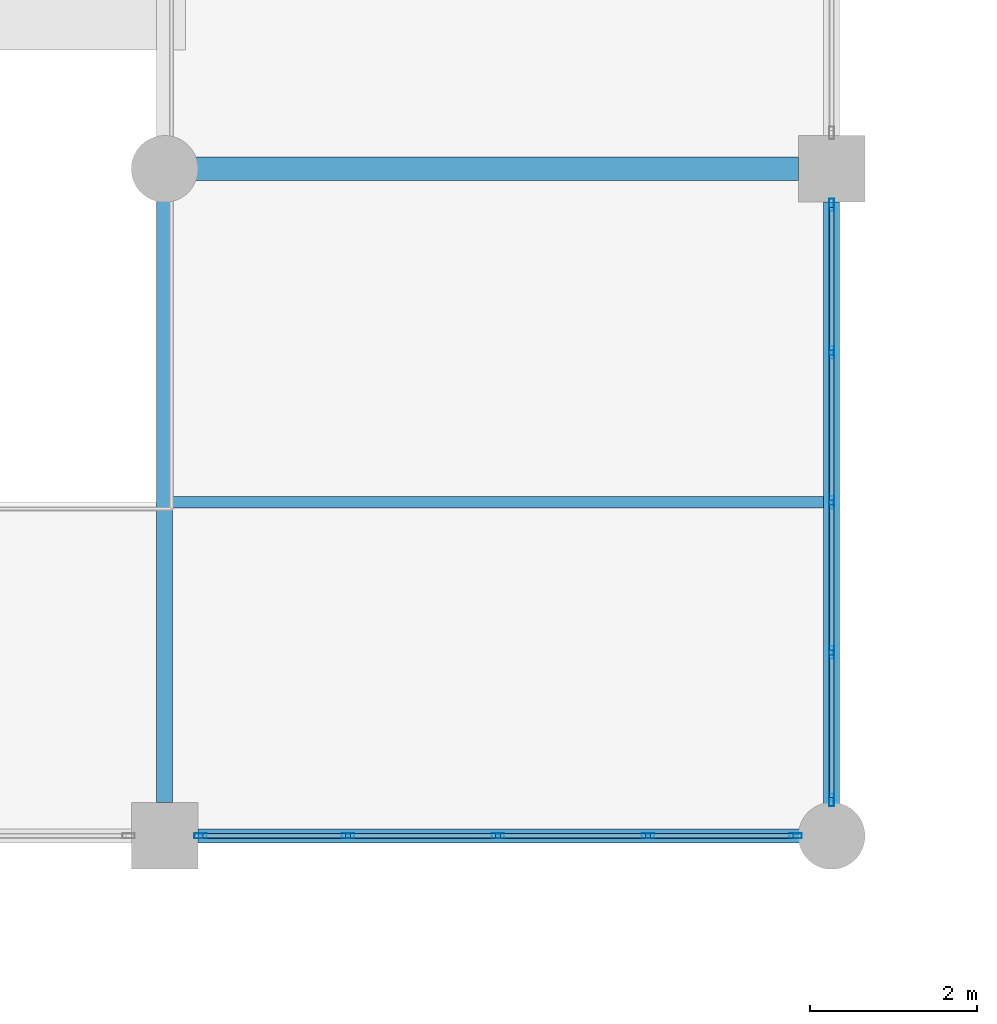
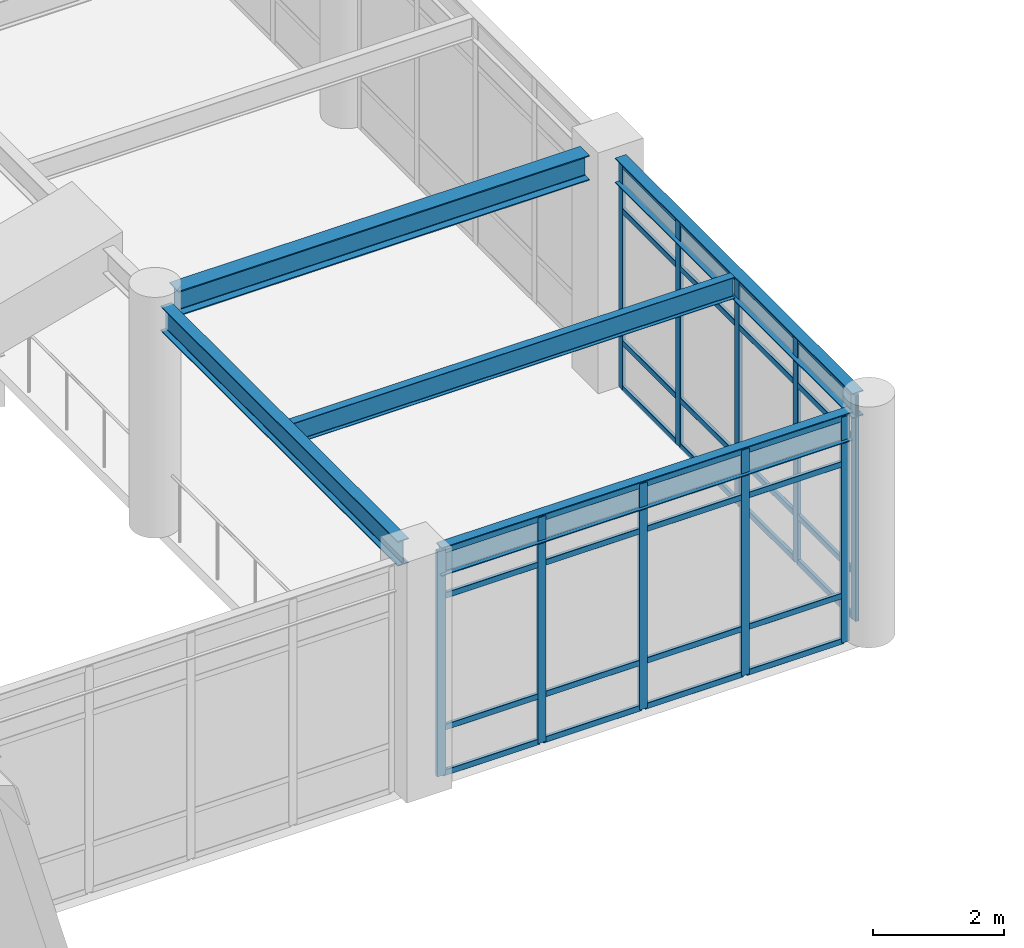
# One storey, part 30 of 75: 42 members, 5 beams, 2 elements without a shape of their own.
"""IFC4 building model written with IfcOpenShell, lengths in metres."""

from ifc_helpers import new_model, si_unit, direction, frame, origin, origin_2d, place, context, subcontext, project, spatial, hollow_rectangle, i_section, extrude, material, material_profile, profile_set, type_object, element, aggregate, save


model = new_model("IFC4")

# Units and contexts
model_context = context("Model", 3, precision=1e-05, world=origin(), true_north=direction((0.0, 1.0)))
body_context = subcontext(model_context, "Body", "Model", "MODEL_VIEW")
ifc_project = project(units=[si_unit("LENGTHUNIT", "METRE"), si_unit("AREAUNIT", "SQUARE_METRE"), si_unit("VOLUMEUNIT", "CUBIC_METRE"), si_unit("PLANEANGLEUNIT", "RADIAN"), si_unit("MASSUNIT", "GRAM", prefix="KILO")], contexts=[model_context])

# Site, building, storey
site_placement = place(None, origin())
site = spatial("IfcSite", under=ifc_project, at=site_placement, CompositionType="ELEMENT")
building_placement = place(site_placement, origin())
building = spatial("IfcBuilding", under=site, at=building_placement, Name="Solmirada Galleria", CompositionType="ELEMENT")
storey_placement = place(building_placement, frame((0.0, 0.0, 19.39990234375)))
storey = spatial("IfcBuildingStorey", under=building, at=storey_placement, Name="L04", CompositionType="ELEMENT", Elevation=19.39990234375)

# Beams
ifc_material_1 = material(Name="Steel S355 / ASTM A992 Grade 50", Category="steel")
ifc_material_profile_1 = material_profile(ifc_material_1, i_section(OverallWidth=0.281982421875, OverallDepth=0.467041015625, WebThickness=0.01220703125, FlangeThickness=0.01953125, FilletRadius=0.013916015625, at=origin_2d()), Name="W18X86")
ifc_profile_set_1 = profile_set([ifc_material_profile_1], Name="Steel S355 / ASTM A992 Grade 50")
beam_type_1 = type_object("IfcBeamType", Name="BM-GIRD-W18A", PredefinedType="BEAM", material=ifc_profile_set_1)
beam_1_placement = place(storey_placement, frame((104.3359375, 56.0, 4.066650390625), z_axis=(1.0, 0.0, 0.0), x_axis=(0.0, 1.0, 0.0)))
element("IfcBeam", 1, at=beam_1_placement, inside=storey, type_object=beam_type_1, Name="Primary beam L05 X(104..112, 56)", PredefinedType="BEAM", context=body_context, shape_type="SweptSolid", body=[
    extrude(i_section(OverallWidth=0.281982421875, OverallDepth=0.467041015625, WebThickness=0.01220703125, FlangeThickness=0.01953125, FilletRadius=0.013916015625, at=origin_2d()), origin(), (0.0, 0.0, 1.0), 7.26416015625),
])
ifc_material_profile_2 = material_profile(ifc_material_1, i_section(OverallWidth=0.193115234375, OverallDepth=0.466064453125, WebThickness=0.011474609375, FlangeThickness=0.01904296875, FilletRadius=0.013916015625, at=origin_2d()), Name="W18X65")
ifc_profile_set_2 = profile_set([ifc_material_profile_2], Name="Steel S355 / ASTM A992 Grade 50")
beam_type_2 = type_object("IfcBeamType", Name="BM-GIRD-W18C", PredefinedType="BEAM", material=ifc_profile_set_2)
for number, where, z_axis, x_axis, name in (
    (2, (104.0, 48.39990234375, 4.067138671875), (0.0, 1.0, 0.0), (-1.0, 0.0, 0.0), "Primary girder L05 Y(104, 48..56)"),
    (3, (112.0, 48.3359375, 4.067138671875), (0.0, 1.0, 0.0), (-1.0, 0.0, 0.0), "Primary girder L05 Y(112, 48..56)"),
):
    element("IfcBeam", number, at=place(storey_placement, frame(where, z_axis=z_axis, x_axis=x_axis)), inside=storey, type_object=beam_type_2, Name=name, PredefinedType="BEAM", context=body_context, shape_type="SweptSolid", body=[
        extrude(i_section(OverallWidth=0.193115234375, OverallDepth=0.466064453125, WebThickness=0.011474609375, FlangeThickness=0.01904296875, FilletRadius=0.013916015625, at=origin_2d()), origin(), (0.0, 0.0, 1.0), 7.26416015625),
    ])
ifc_material_profile_3 = material_profile(ifc_material_1, i_section(OverallWidth=0.1669921875, OverallDepth=0.534912109375, WebThickness=0.01025390625, FlangeThickness=0.0166015625, FilletRadius=0.013916015625, at=origin_2d()), Name="W21X57")
ifc_profile_set_3 = profile_set([ifc_material_profile_3], Name="Steel S355 / ASTM A992 Grade 50")
beam_type_3 = type_object("IfcBeamType", Name="BM-GIRD-W21C", PredefinedType="BEAM", material=ifc_profile_set_3)
beam_2_placement = place(storey_placement, frame((104.39990234375, 48.0, 4.03271484375), z_axis=(1.0, 0.0, 0.0), x_axis=(0.0, 1.0, 0.0)))
element("IfcBeam", 4, at=beam_2_placement, inside=storey, type_object=beam_type_3, Name="Primary beam L05 X(104..112, 48)", PredefinedType="BEAM", context=body_context, shape_type="SweptSolid", body=[
    extrude(i_section(OverallWidth=0.1669921875, OverallDepth=0.534912109375, WebThickness=0.01025390625, FlangeThickness=0.0166015625, FilletRadius=0.013916015625, at=origin_2d()), origin(), (0.0, 0.0, 1.0), 7.26416015625),
])
ifc_material_profile_4 = material_profile(ifc_material_1, i_section(OverallWidth=0.139892578125, OverallDepth=0.39892578125, WebThickness=0.00634765625, FlangeThickness=0.0087890625, FilletRadius=0.010986328125, at=origin_2d()), Name="W16X26")
ifc_profile_set_4 = profile_set([ifc_material_profile_4], Name="Steel S355 / ASTM A992 Grade 50")
beam_type_4 = type_object("IfcBeamType", Name="BM-JST-W16C", PredefinedType="JOIST", material=ifc_profile_set_4)
beam_3_placement = place(storey_placement, frame((104.096435546875, 52.0, 4.1005859375), z_axis=(1.0, 0.0, 0.0), x_axis=(0.0, 1.0, 0.0)))
element("IfcBeam", 5, at=beam_3_placement, inside=storey, type_object=beam_type_4, Name="Composite floor joist L05 (104..112, 52.0)", PredefinedType="JOIST", context=body_context, shape_type="SweptSolid", body=[
    extrude(i_section(OverallWidth=0.139892578125, OverallDepth=0.39892578125, WebThickness=0.00634765625, FlangeThickness=0.0087890625, FilletRadius=0.010986328125, at=origin_2d()), origin(), (0.0, 0.0, 1.0), 7.80712890625),
])

# Curtain wall, members
ifc_material_2 = material(Name="Impact-resistant low-E double glazing", Category="glass")
curtain_wall_type = type_object("IfcCurtainWallType", Name="CW-FZ3-L04-B4-L072", PredefinedType="NOTDEFINED", material=ifc_material_2)
curtain_wall_1_placement = place(storey_placement, origin())
curtain_wall_1 = element("IfcCurtainWall", 6, at=curtain_wall_1_placement, inside=storey, type_object=curtain_wall_type, Name="Terrace and arcade storefront CW-L04-156", PredefinedType="NOTDEFINED")
ifc_material_3 = material(Name="Anodised aluminium framing", Category="aluminium")
ifc_material_profile_5 = material_profile(ifc_material_3, hollow_rectangle(XDim=0.06005859375, YDim=0.14990234375, WallThickness=0.00341796875, InnerFilletRadius=0.00341796875, OuterFilletRadius=0.007080078125, at=origin_2d()), Name="ALU-MULL-150X60")
ifc_profile_set_5 = profile_set([ifc_material_profile_5], Name="Anodised aluminium framing")
member_type_1 = type_object("IfcMemberType", Name="CW-MULL-150", PredefinedType="MULLION", material=ifc_profile_set_5)
member_1_placement = place(storey_placement, frame((112.0, 55.568115234375, 0.0), z_axis=(0.0, 0.0, 1.0), x_axis=(1.0, 0.0, 0.0)))
member_1 = element("IfcMember", 7, at=member_1_placement, type_object=member_type_1, Name="CW30 mullion 1", PredefinedType="MULLION", context=body_context, shape_type="SweptSolid", body=[
    extrude(hollow_rectangle(XDim=0.06005859375, YDim=0.14990234375, WallThickness=0.00341796875, InnerFilletRadius=0.00341796875, OuterFilletRadius=0.007080078125, at=origin_2d()), origin(), (0.0, 0.0, 1.0), 4.22021484375),
])
member_2_placement = place(storey_placement, frame((112.0, 53.799072265625, 0.0), z_axis=(0.0, 0.0, 1.0), x_axis=(1.0, 0.0, 0.0)))
member_2 = element("IfcMember", 8, at=member_2_placement, type_object=member_type_1, Name="CW30 mullion 2", PredefinedType="MULLION", context=body_context, shape_type="SweptSolid", body=[
    extrude(hollow_rectangle(XDim=0.06005859375, YDim=0.14990234375, WallThickness=0.00341796875, InnerFilletRadius=0.00341796875, OuterFilletRadius=0.007080078125, at=origin_2d()), origin(), (0.0, 0.0, 1.0), 4.22021484375),
])
member_3_placement = place(storey_placement, frame((112.0, 52.0, 0.0), z_axis=(0.0, 0.0, 1.0), x_axis=(1.0, 0.0, 0.0)))
member_3 = element("IfcMember", 9, at=member_3_placement, type_object=member_type_1, Name="CW30 mullion 3", PredefinedType="MULLION", context=body_context, shape_type="SweptSolid", body=[
    extrude(hollow_rectangle(XDim=0.06005859375, YDim=0.14990234375, WallThickness=0.00341796875, InnerFilletRadius=0.00341796875, OuterFilletRadius=0.007080078125, at=origin_2d()), origin(), (0.0, 0.0, 1.0), 4.22021484375),
])
member_4_placement = place(storey_placement, frame((112.0, 50.200927734375, 0.0), z_axis=(0.0, 0.0, 1.0), x_axis=(1.0, 0.0, 0.0)))
member_4 = element("IfcMember", 10, at=member_4_placement, type_object=member_type_1, Name="CW30 mullion 4", PredefinedType="MULLION", context=body_context, shape_type="SweptSolid", body=[
    extrude(hollow_rectangle(XDim=0.06005859375, YDim=0.14990234375, WallThickness=0.00341796875, InnerFilletRadius=0.00341796875, OuterFilletRadius=0.007080078125, at=origin_2d()), origin(), (0.0, 0.0, 1.0), 4.22021484375),
])
member_5_placement = place(storey_placement, frame((112.0, 48.431884765625, 0.0), z_axis=(0.0, 0.0, 1.0), x_axis=(1.0, 0.0, 0.0)))
member_5 = element("IfcMember", 11, at=member_5_placement, type_object=member_type_1, Name="CW30 mullion 5", PredefinedType="MULLION", context=body_context, shape_type="SweptSolid", body=[
    extrude(hollow_rectangle(XDim=0.06005859375, YDim=0.14990234375, WallThickness=0.00341796875, InnerFilletRadius=0.00341796875, OuterFilletRadius=0.007080078125, at=origin_2d()), origin(), (0.0, 0.0, 1.0), 4.22021484375),
])

curtain_wall_2_placement = place(storey_placement, origin())
curtain_wall_2 = element("IfcCurtainWall", 12, at=curtain_wall_2_placement, inside=storey, type_object=curtain_wall_type, Name="Terrace and arcade storefront CW-L04-157", PredefinedType="NOTDEFINED")
member_6_placement = place(storey_placement, frame((111.568115234375, 48.0, 0.0), z_axis=(0.0, 0.0, 1.0), x_axis=(0.0, -1.0, 0.0)))
member_6 = element("IfcMember", 13, at=member_6_placement, type_object=member_type_1, Name="CW30 mullion 1", PredefinedType="MULLION", context=body_context, shape_type="SweptSolid", body=[
    extrude(hollow_rectangle(XDim=0.06005859375, YDim=0.14990234375, WallThickness=0.00341796875, InnerFilletRadius=0.00341796875, OuterFilletRadius=0.007080078125, at=origin_2d()), origin(), (0.0, 0.0, 1.0), 4.22021484375),
])
member_7_placement = place(storey_placement, frame((109.799072265625, 48.0, 0.0), z_axis=(0.0, 0.0, 1.0), x_axis=(0.0, -1.0, 0.0)))
member_7 = element("IfcMember", 14, at=member_7_placement, type_object=member_type_1, Name="CW30 mullion 2", PredefinedType="MULLION", context=body_context, shape_type="SweptSolid", body=[
    extrude(hollow_rectangle(XDim=0.06005859375, YDim=0.14990234375, WallThickness=0.00341796875, InnerFilletRadius=0.00341796875, OuterFilletRadius=0.007080078125, at=origin_2d()), origin(), (0.0, 0.0, 1.0), 4.22021484375),
])
member_8_placement = place(storey_placement, frame((108.0, 48.0, 0.0), z_axis=(0.0, 0.0, 1.0), x_axis=(0.0, -1.0, 0.0)))
member_8 = element("IfcMember", 15, at=member_8_placement, type_object=member_type_1, Name="CW30 mullion 3", PredefinedType="MULLION", context=body_context, shape_type="SweptSolid", body=[
    extrude(hollow_rectangle(XDim=0.06005859375, YDim=0.14990234375, WallThickness=0.00341796875, InnerFilletRadius=0.00341796875, OuterFilletRadius=0.007080078125, at=origin_2d()), origin(), (0.0, 0.0, 1.0), 4.22021484375),
])
member_9_placement = place(storey_placement, frame((106.200927734375, 48.0, 0.0), z_axis=(0.0, 0.0, 1.0), x_axis=(0.0, -1.0, 0.0)))
member_9 = element("IfcMember", 16, at=member_9_placement, type_object=member_type_1, Name="CW30 mullion 4", PredefinedType="MULLION", context=body_context, shape_type="SweptSolid", body=[
    extrude(hollow_rectangle(XDim=0.06005859375, YDim=0.14990234375, WallThickness=0.00341796875, InnerFilletRadius=0.00341796875, OuterFilletRadius=0.007080078125, at=origin_2d()), origin(), (0.0, 0.0, 1.0), 4.22021484375),
])
member_10_placement = place(storey_placement, frame((104.431884765625, 48.0, 0.0), z_axis=(0.0, 0.0, 1.0), x_axis=(0.0, -1.0, 0.0)))
member_10 = element("IfcMember", 17, at=member_10_placement, type_object=member_type_1, Name="CW30 mullion 5", PredefinedType="MULLION", context=body_context, shape_type="SweptSolid", body=[
    extrude(hollow_rectangle(XDim=0.06005859375, YDim=0.14990234375, WallThickness=0.00341796875, InnerFilletRadius=0.00341796875, OuterFilletRadius=0.007080078125, at=origin_2d()), origin(), (0.0, 0.0, 1.0), 4.22021484375),
])

# Member
ifc_material_profile_6 = material_profile(ifc_material_3, hollow_rectangle(XDim=0.06005859375, YDim=0.110107421875, WallThickness=0.003173828125, InnerFilletRadius=0.003173828125, OuterFilletRadius=0.00634765625, at=origin_2d()), Name="ALU-TRAN-110X60")
ifc_profile_set_6 = profile_set([ifc_material_profile_6], Name="Anodised aluminium framing")
member_type_2 = type_object("IfcMemberType", Name="CW-TRAN-110", PredefinedType="USERDEFINED", material=ifc_profile_set_6)
member_11_placement = place(storey_placement, frame((112.0, 55.5380859375, 0.030029296875), z_axis=(0.0, -1.0, 0.0), x_axis=(1.0, 0.0, 0.0)))
member_11 = element("IfcMember", 18, at=member_11_placement, type_object=member_type_2, Name="CW30 transom 1.1", ObjectType="TRANSOM", PredefinedType="USERDEFINED", context=body_context, shape_type="SweptSolid", body=[
    extrude(hollow_rectangle(XDim=0.06005859375, YDim=0.110107421875, WallThickness=0.003173828125, InnerFilletRadius=0.003173828125, OuterFilletRadius=0.00634765625, at=origin_2d()), origin(), (0.0, 0.0, 1.0), 1.708984375),
])

member_12_placement = place(storey_placement, frame((112.0, 55.5380859375, 0.880126953125), z_axis=(0.0, -1.0, 0.0), x_axis=(1.0, 0.0, 0.0)))
member_12 = element("IfcMember", 19, at=member_12_placement, type_object=member_type_2, Name="CW30 transom 1.2", ObjectType="TRANSOM", PredefinedType="USERDEFINED", context=body_context, shape_type="SweptSolid", body=[
    extrude(hollow_rectangle(XDim=0.06005859375, YDim=0.110107421875, WallThickness=0.003173828125, InnerFilletRadius=0.003173828125, OuterFilletRadius=0.00634765625, at=origin_2d()), origin(), (0.0, 0.0, 1.0), 1.708984375),
])

member_13_placement = place(storey_placement, frame((112.0, 55.5380859375, 3.340087890625), z_axis=(0.0, -1.0, 0.0), x_axis=(1.0, 0.0, 0.0)))
member_13 = element("IfcMember", 20, at=member_13_placement, type_object=member_type_2, Name="CW30 transom 1.3", ObjectType="TRANSOM", PredefinedType="USERDEFINED", context=body_context, shape_type="SweptSolid", body=[
    extrude(hollow_rectangle(XDim=0.06005859375, YDim=0.110107421875, WallThickness=0.003173828125, InnerFilletRadius=0.003173828125, OuterFilletRadius=0.00634765625, at=origin_2d()), origin(), (0.0, 0.0, 1.0), 1.708984375),
])

member_14_placement = place(storey_placement, frame((112.0, 55.5380859375, 4.190185546875), z_axis=(0.0, -1.0, 0.0), x_axis=(1.0, 0.0, 0.0)))
member_14 = element("IfcMember", 21, at=member_14_placement, type_object=member_type_2, Name="CW30 transom 1.4", ObjectType="TRANSOM", PredefinedType="USERDEFINED", context=body_context, shape_type="SweptSolid", body=[
    extrude(hollow_rectangle(XDim=0.06005859375, YDim=0.110107421875, WallThickness=0.003173828125, InnerFilletRadius=0.003173828125, OuterFilletRadius=0.00634765625, at=origin_2d()), origin(), (0.0, 0.0, 1.0), 1.708984375),
])

member_15_placement = place(storey_placement, frame((112.0, 53.76904296875, 0.030029296875), z_axis=(0.0, -1.0, 0.0), x_axis=(1.0, 0.0, 0.0)))
member_15 = element("IfcMember", 22, at=member_15_placement, type_object=member_type_2, Name="CW30 transom 2.1", ObjectType="TRANSOM", PredefinedType="USERDEFINED", context=body_context, shape_type="SweptSolid", body=[
    extrude(hollow_rectangle(XDim=0.06005859375, YDim=0.110107421875, WallThickness=0.003173828125, InnerFilletRadius=0.003173828125, OuterFilletRadius=0.00634765625, at=origin_2d()), origin(), (0.0, 0.0, 1.0), 1.739013671875),
])

member_16_placement = place(storey_placement, frame((112.0, 53.76904296875, 0.880126953125), z_axis=(0.0, -1.0, 0.0), x_axis=(1.0, 0.0, 0.0)))
member_16 = element("IfcMember", 23, at=member_16_placement, type_object=member_type_2, Name="CW30 transom 2.2", ObjectType="TRANSOM", PredefinedType="USERDEFINED", context=body_context, shape_type="SweptSolid", body=[
    extrude(hollow_rectangle(XDim=0.06005859375, YDim=0.110107421875, WallThickness=0.003173828125, InnerFilletRadius=0.003173828125, OuterFilletRadius=0.00634765625, at=origin_2d()), origin(), (0.0, 0.0, 1.0), 1.739013671875),
])

member_17_placement = place(storey_placement, frame((112.0, 53.76904296875, 3.340087890625), z_axis=(0.0, -1.0, 0.0), x_axis=(1.0, 0.0, 0.0)))
member_17 = element("IfcMember", 24, at=member_17_placement, type_object=member_type_2, Name="CW30 transom 2.3", ObjectType="TRANSOM", PredefinedType="USERDEFINED", context=body_context, shape_type="SweptSolid", body=[
    extrude(hollow_rectangle(XDim=0.06005859375, YDim=0.110107421875, WallThickness=0.003173828125, InnerFilletRadius=0.003173828125, OuterFilletRadius=0.00634765625, at=origin_2d()), origin(), (0.0, 0.0, 1.0), 1.739013671875),
])

member_18_placement = place(storey_placement, frame((112.0, 53.76904296875, 4.190185546875), z_axis=(0.0, -1.0, 0.0), x_axis=(1.0, 0.0, 0.0)))
member_18 = element("IfcMember", 25, at=member_18_placement, type_object=member_type_2, Name="CW30 transom 2.4", ObjectType="TRANSOM", PredefinedType="USERDEFINED", context=body_context, shape_type="SweptSolid", body=[
    extrude(hollow_rectangle(XDim=0.06005859375, YDim=0.110107421875, WallThickness=0.003173828125, InnerFilletRadius=0.003173828125, OuterFilletRadius=0.00634765625, at=origin_2d()), origin(), (0.0, 0.0, 1.0), 1.739013671875),
])

member_19_placement = place(storey_placement, frame((112.0, 51.969970703125, 0.030029296875), z_axis=(0.0, -1.0, 0.0), x_axis=(1.0, 0.0, 0.0)))
member_19 = element("IfcMember", 26, at=member_19_placement, type_object=member_type_2, Name="CW30 transom 3.1", ObjectType="TRANSOM", PredefinedType="USERDEFINED", context=body_context, shape_type="SweptSolid", body=[
    extrude(hollow_rectangle(XDim=0.06005859375, YDim=0.110107421875, WallThickness=0.003173828125, InnerFilletRadius=0.003173828125, OuterFilletRadius=0.00634765625, at=origin_2d()), origin(), (0.0, 0.0, 1.0), 1.739013671875),
])

member_20_placement = place(storey_placement, frame((112.0, 51.969970703125, 0.880126953125), z_axis=(0.0, -1.0, 0.0), x_axis=(1.0, 0.0, 0.0)))
member_20 = element("IfcMember", 27, at=member_20_placement, type_object=member_type_2, Name="CW30 transom 3.2", ObjectType="TRANSOM", PredefinedType="USERDEFINED", context=body_context, shape_type="SweptSolid", body=[
    extrude(hollow_rectangle(XDim=0.06005859375, YDim=0.110107421875, WallThickness=0.003173828125, InnerFilletRadius=0.003173828125, OuterFilletRadius=0.00634765625, at=origin_2d()), origin(), (0.0, 0.0, 1.0), 1.739013671875),
])

member_21_placement = place(storey_placement, frame((112.0, 51.969970703125, 3.340087890625), z_axis=(0.0, -1.0, 0.0), x_axis=(1.0, 0.0, 0.0)))
member_21 = element("IfcMember", 28, at=member_21_placement, type_object=member_type_2, Name="CW30 transom 3.3", ObjectType="TRANSOM", PredefinedType="USERDEFINED", context=body_context, shape_type="SweptSolid", body=[
    extrude(hollow_rectangle(XDim=0.06005859375, YDim=0.110107421875, WallThickness=0.003173828125, InnerFilletRadius=0.003173828125, OuterFilletRadius=0.00634765625, at=origin_2d()), origin(), (0.0, 0.0, 1.0), 1.739013671875),
])

member_22_placement = place(storey_placement, frame((112.0, 51.969970703125, 4.190185546875), z_axis=(0.0, -1.0, 0.0), x_axis=(1.0, 0.0, 0.0)))
member_22 = element("IfcMember", 29, at=member_22_placement, type_object=member_type_2, Name="CW30 transom 3.4", ObjectType="TRANSOM", PredefinedType="USERDEFINED", context=body_context, shape_type="SweptSolid", body=[
    extrude(hollow_rectangle(XDim=0.06005859375, YDim=0.110107421875, WallThickness=0.003173828125, InnerFilletRadius=0.003173828125, OuterFilletRadius=0.00634765625, at=origin_2d()), origin(), (0.0, 0.0, 1.0), 1.739013671875),
])

member_23_placement = place(storey_placement, frame((112.0, 50.1708984375, 0.030029296875), z_axis=(0.0, -1.0, 0.0), x_axis=(1.0, 0.0, 0.0)))
member_23 = element("IfcMember", 30, at=member_23_placement, type_object=member_type_2, Name="CW30 transom 4.1", ObjectType="TRANSOM", PredefinedType="USERDEFINED", context=body_context, shape_type="SweptSolid", body=[
    extrude(hollow_rectangle(XDim=0.06005859375, YDim=0.110107421875, WallThickness=0.003173828125, InnerFilletRadius=0.003173828125, OuterFilletRadius=0.00634765625, at=origin_2d()), origin(), (0.0, 0.0, 1.0), 1.708984375),
])

member_24_placement = place(storey_placement, frame((112.0, 50.1708984375, 0.880126953125), z_axis=(0.0, -1.0, 0.0), x_axis=(1.0, 0.0, 0.0)))
member_24 = element("IfcMember", 31, at=member_24_placement, type_object=member_type_2, Name="CW30 transom 4.2", ObjectType="TRANSOM", PredefinedType="USERDEFINED", context=body_context, shape_type="SweptSolid", body=[
    extrude(hollow_rectangle(XDim=0.06005859375, YDim=0.110107421875, WallThickness=0.003173828125, InnerFilletRadius=0.003173828125, OuterFilletRadius=0.00634765625, at=origin_2d()), origin(), (0.0, 0.0, 1.0), 1.708984375),
])

member_25_placement = place(storey_placement, frame((112.0, 50.1708984375, 3.340087890625), z_axis=(0.0, -1.0, 0.0), x_axis=(1.0, 0.0, 0.0)))
member_25 = element("IfcMember", 32, at=member_25_placement, type_object=member_type_2, Name="CW30 transom 4.3", ObjectType="TRANSOM", PredefinedType="USERDEFINED", context=body_context, shape_type="SweptSolid", body=[
    extrude(hollow_rectangle(XDim=0.06005859375, YDim=0.110107421875, WallThickness=0.003173828125, InnerFilletRadius=0.003173828125, OuterFilletRadius=0.00634765625, at=origin_2d()), origin(), (0.0, 0.0, 1.0), 1.708984375),
])

member_26_placement = place(storey_placement, frame((112.0, 50.1708984375, 4.190185546875), z_axis=(0.0, -1.0, 0.0), x_axis=(1.0, 0.0, 0.0)))
member_26 = element("IfcMember", 33, at=member_26_placement, type_object=member_type_2, Name="CW30 transom 4.4", ObjectType="TRANSOM", PredefinedType="USERDEFINED", context=body_context, shape_type="SweptSolid", body=[
    extrude(hollow_rectangle(XDim=0.06005859375, YDim=0.110107421875, WallThickness=0.003173828125, InnerFilletRadius=0.003173828125, OuterFilletRadius=0.00634765625, at=origin_2d()), origin(), (0.0, 0.0, 1.0), 1.708984375),
])

aggregate(curtain_wall_1, [member_1, member_2, member_3, member_4, member_5, member_11, member_12, member_13, member_14, member_15, member_16, member_17, member_18, member_19, member_20, member_21, member_22, member_23, member_24, member_25, member_26])

member_27_placement = place(storey_placement, frame((111.5380859375, 48.0, 0.030029296875), z_axis=(-1.0, 0.0, 0.0), x_axis=(0.0, -1.0, 0.0)))
member_27 = element("IfcMember", 34, at=member_27_placement, type_object=member_type_2, Name="CW30 transom 1.1", ObjectType="TRANSOM", PredefinedType="USERDEFINED", context=body_context, shape_type="SweptSolid", body=[
    extrude(hollow_rectangle(XDim=0.06005859375, YDim=0.110107421875, WallThickness=0.003173828125, InnerFilletRadius=0.003173828125, OuterFilletRadius=0.00634765625, at=origin_2d()), origin(), (0.0, 0.0, 1.0), 1.708984375),
])

member_28_placement = place(storey_placement, frame((111.5380859375, 48.0, 0.880126953125), z_axis=(-1.0, 0.0, 0.0), x_axis=(0.0, -1.0, 0.0)))
member_28 = element("IfcMember", 35, at=member_28_placement, type_object=member_type_2, Name="CW30 transom 1.2", ObjectType="TRANSOM", PredefinedType="USERDEFINED", context=body_context, shape_type="SweptSolid", body=[
    extrude(hollow_rectangle(XDim=0.06005859375, YDim=0.110107421875, WallThickness=0.003173828125, InnerFilletRadius=0.003173828125, OuterFilletRadius=0.00634765625, at=origin_2d()), origin(), (0.0, 0.0, 1.0), 1.708984375),
])

member_29_placement = place(storey_placement, frame((111.5380859375, 48.0, 3.340087890625), z_axis=(-1.0, 0.0, 0.0), x_axis=(0.0, -1.0, 0.0)))
member_29 = element("IfcMember", 36, at=member_29_placement, type_object=member_type_2, Name="CW30 transom 1.3", ObjectType="TRANSOM", PredefinedType="USERDEFINED", context=body_context, shape_type="SweptSolid", body=[
    extrude(hollow_rectangle(XDim=0.06005859375, YDim=0.110107421875, WallThickness=0.003173828125, InnerFilletRadius=0.003173828125, OuterFilletRadius=0.00634765625, at=origin_2d()), origin(), (0.0, 0.0, 1.0), 1.708984375),
])

member_30_placement = place(storey_placement, frame((111.5380859375, 48.0, 4.190185546875), z_axis=(-1.0, 0.0, 0.0), x_axis=(0.0, -1.0, 0.0)))
member_30 = element("IfcMember", 37, at=member_30_placement, type_object=member_type_2, Name="CW30 transom 1.4", ObjectType="TRANSOM", PredefinedType="USERDEFINED", context=body_context, shape_type="SweptSolid", body=[
    extrude(hollow_rectangle(XDim=0.06005859375, YDim=0.110107421875, WallThickness=0.003173828125, InnerFilletRadius=0.003173828125, OuterFilletRadius=0.00634765625, at=origin_2d()), origin(), (0.0, 0.0, 1.0), 1.708984375),
])

member_31_placement = place(storey_placement, frame((109.76904296875, 48.0, 0.030029296875), z_axis=(-1.0, 0.0, 0.0), x_axis=(0.0, -1.0, 0.0)))
member_31 = element("IfcMember", 38, at=member_31_placement, type_object=member_type_2, Name="CW30 transom 2.1", ObjectType="TRANSOM", PredefinedType="USERDEFINED", context=body_context, shape_type="SweptSolid", body=[
    extrude(hollow_rectangle(XDim=0.06005859375, YDim=0.110107421875, WallThickness=0.003173828125, InnerFilletRadius=0.003173828125, OuterFilletRadius=0.00634765625, at=origin_2d()), origin(), (0.0, 0.0, 1.0), 1.739013671875),
])

member_32_placement = place(storey_placement, frame((109.76904296875, 48.0, 0.880126953125), z_axis=(-1.0, 0.0, 0.0), x_axis=(0.0, -1.0, 0.0)))
member_32 = element("IfcMember", 39, at=member_32_placement, type_object=member_type_2, Name="CW30 transom 2.2", ObjectType="TRANSOM", PredefinedType="USERDEFINED", context=body_context, shape_type="SweptSolid", body=[
    extrude(hollow_rectangle(XDim=0.06005859375, YDim=0.110107421875, WallThickness=0.003173828125, InnerFilletRadius=0.003173828125, OuterFilletRadius=0.00634765625, at=origin_2d()), origin(), (0.0, 0.0, 1.0), 1.739013671875),
])

member_33_placement = place(storey_placement, frame((109.76904296875, 48.0, 3.340087890625), z_axis=(-1.0, 0.0, 0.0), x_axis=(0.0, -1.0, 0.0)))
member_33 = element("IfcMember", 40, at=member_33_placement, type_object=member_type_2, Name="CW30 transom 2.3", ObjectType="TRANSOM", PredefinedType="USERDEFINED", context=body_context, shape_type="SweptSolid", body=[
    extrude(hollow_rectangle(XDim=0.06005859375, YDim=0.110107421875, WallThickness=0.003173828125, InnerFilletRadius=0.003173828125, OuterFilletRadius=0.00634765625, at=origin_2d()), origin(), (0.0, 0.0, 1.0), 1.739013671875),
])

member_34_placement = place(storey_placement, frame((109.76904296875, 48.0, 4.190185546875), z_axis=(-1.0, 0.0, 0.0), x_axis=(0.0, -1.0, 0.0)))
member_34 = element("IfcMember", 41, at=member_34_placement, type_object=member_type_2, Name="CW30 transom 2.4", ObjectType="TRANSOM", PredefinedType="USERDEFINED", context=body_context, shape_type="SweptSolid", body=[
    extrude(hollow_rectangle(XDim=0.06005859375, YDim=0.110107421875, WallThickness=0.003173828125, InnerFilletRadius=0.003173828125, OuterFilletRadius=0.00634765625, at=origin_2d()), origin(), (0.0, 0.0, 1.0), 1.739013671875),
])

member_35_placement = place(storey_placement, frame((107.969970703125, 48.0, 0.030029296875), z_axis=(-1.0, 0.0, 0.0), x_axis=(0.0, -1.0, 0.0)))
member_35 = element("IfcMember", 42, at=member_35_placement, type_object=member_type_2, Name="CW30 transom 3.1", ObjectType="TRANSOM", PredefinedType="USERDEFINED", context=body_context, shape_type="SweptSolid", body=[
    extrude(hollow_rectangle(XDim=0.06005859375, YDim=0.110107421875, WallThickness=0.003173828125, InnerFilletRadius=0.003173828125, OuterFilletRadius=0.00634765625, at=origin_2d()), origin(), (0.0, 0.0, 1.0), 1.739013671875),
])

member_36_placement = place(storey_placement, frame((107.969970703125, 48.0, 0.880126953125), z_axis=(-1.0, 0.0, 0.0), x_axis=(0.0, -1.0, 0.0)))
member_36 = element("IfcMember", 43, at=member_36_placement, type_object=member_type_2, Name="CW30 transom 3.2", ObjectType="TRANSOM", PredefinedType="USERDEFINED", context=body_context, shape_type="SweptSolid", body=[
    extrude(hollow_rectangle(XDim=0.06005859375, YDim=0.110107421875, WallThickness=0.003173828125, InnerFilletRadius=0.003173828125, OuterFilletRadius=0.00634765625, at=origin_2d()), origin(), (0.0, 0.0, 1.0), 1.739013671875),
])

member_37_placement = place(storey_placement, frame((107.969970703125, 48.0, 3.340087890625), z_axis=(-1.0, 0.0, 0.0), x_axis=(0.0, -1.0, 0.0)))
member_37 = element("IfcMember", 44, at=member_37_placement, type_object=member_type_2, Name="CW30 transom 3.3", ObjectType="TRANSOM", PredefinedType="USERDEFINED", context=body_context, shape_type="SweptSolid", body=[
    extrude(hollow_rectangle(XDim=0.06005859375, YDim=0.110107421875, WallThickness=0.003173828125, InnerFilletRadius=0.003173828125, OuterFilletRadius=0.00634765625, at=origin_2d()), origin(), (0.0, 0.0, 1.0), 1.739013671875),
])

member_38_placement = place(storey_placement, frame((107.969970703125, 48.0, 4.190185546875), z_axis=(-1.0, 0.0, 0.0), x_axis=(0.0, -1.0, 0.0)))
member_38 = element("IfcMember", 45, at=member_38_placement, type_object=member_type_2, Name="CW30 transom 3.4", ObjectType="TRANSOM", PredefinedType="USERDEFINED", context=body_context, shape_type="SweptSolid", body=[
    extrude(hollow_rectangle(XDim=0.06005859375, YDim=0.110107421875, WallThickness=0.003173828125, InnerFilletRadius=0.003173828125, OuterFilletRadius=0.00634765625, at=origin_2d()), origin(), (0.0, 0.0, 1.0), 1.739013671875),
])

member_39_placement = place(storey_placement, frame((106.1708984375, 48.0, 0.030029296875), z_axis=(-1.0, 0.0, 0.0), x_axis=(0.0, -1.0, 0.0)))
member_39 = element("IfcMember", 46, at=member_39_placement, type_object=member_type_2, Name="CW30 transom 4.1", ObjectType="TRANSOM", PredefinedType="USERDEFINED", context=body_context, shape_type="SweptSolid", body=[
    extrude(hollow_rectangle(XDim=0.06005859375, YDim=0.110107421875, WallThickness=0.003173828125, InnerFilletRadius=0.003173828125, OuterFilletRadius=0.00634765625, at=origin_2d()), origin(), (0.0, 0.0, 1.0), 1.708984375),
])

member_40_placement = place(storey_placement, frame((106.1708984375, 48.0, 0.880126953125), z_axis=(-1.0, 0.0, 0.0), x_axis=(0.0, -1.0, 0.0)))
member_40 = element("IfcMember", 47, at=member_40_placement, type_object=member_type_2, Name="CW30 transom 4.2", ObjectType="TRANSOM", PredefinedType="USERDEFINED", context=body_context, shape_type="SweptSolid", body=[
    extrude(hollow_rectangle(XDim=0.06005859375, YDim=0.110107421875, WallThickness=0.003173828125, InnerFilletRadius=0.003173828125, OuterFilletRadius=0.00634765625, at=origin_2d()), origin(), (0.0, 0.0, 1.0), 1.708984375),
])

member_41_placement = place(storey_placement, frame((106.1708984375, 48.0, 3.340087890625), z_axis=(-1.0, 0.0, 0.0), x_axis=(0.0, -1.0, 0.0)))
member_41 = element("IfcMember", 48, at=member_41_placement, type_object=member_type_2, Name="CW30 transom 4.3", ObjectType="TRANSOM", PredefinedType="USERDEFINED", context=body_context, shape_type="SweptSolid", body=[
    extrude(hollow_rectangle(XDim=0.06005859375, YDim=0.110107421875, WallThickness=0.003173828125, InnerFilletRadius=0.003173828125, OuterFilletRadius=0.00634765625, at=origin_2d()), origin(), (0.0, 0.0, 1.0), 1.708984375),
])

member_42_placement = place(storey_placement, frame((106.1708984375, 48.0, 4.190185546875), z_axis=(-1.0, 0.0, 0.0), x_axis=(0.0, -1.0, 0.0)))
member_42 = element("IfcMember", 49, at=member_42_placement, type_object=member_type_2, Name="CW30 transom 4.4", ObjectType="TRANSOM", PredefinedType="USERDEFINED", context=body_context, shape_type="SweptSolid", body=[
    extrude(hollow_rectangle(XDim=0.06005859375, YDim=0.110107421875, WallThickness=0.003173828125, InnerFilletRadius=0.003173828125, OuterFilletRadius=0.00634765625, at=origin_2d()), origin(), (0.0, 0.0, 1.0), 1.708984375),
])

aggregate(curtain_wall_2, [member_6, member_7, member_8, member_9, member_10, member_27, member_28, member_29, member_30, member_31, member_32, member_33, member_34, member_35, member_36, member_37, member_38, member_39, member_40, member_41, member_42])

save(model, "model.ifc")
